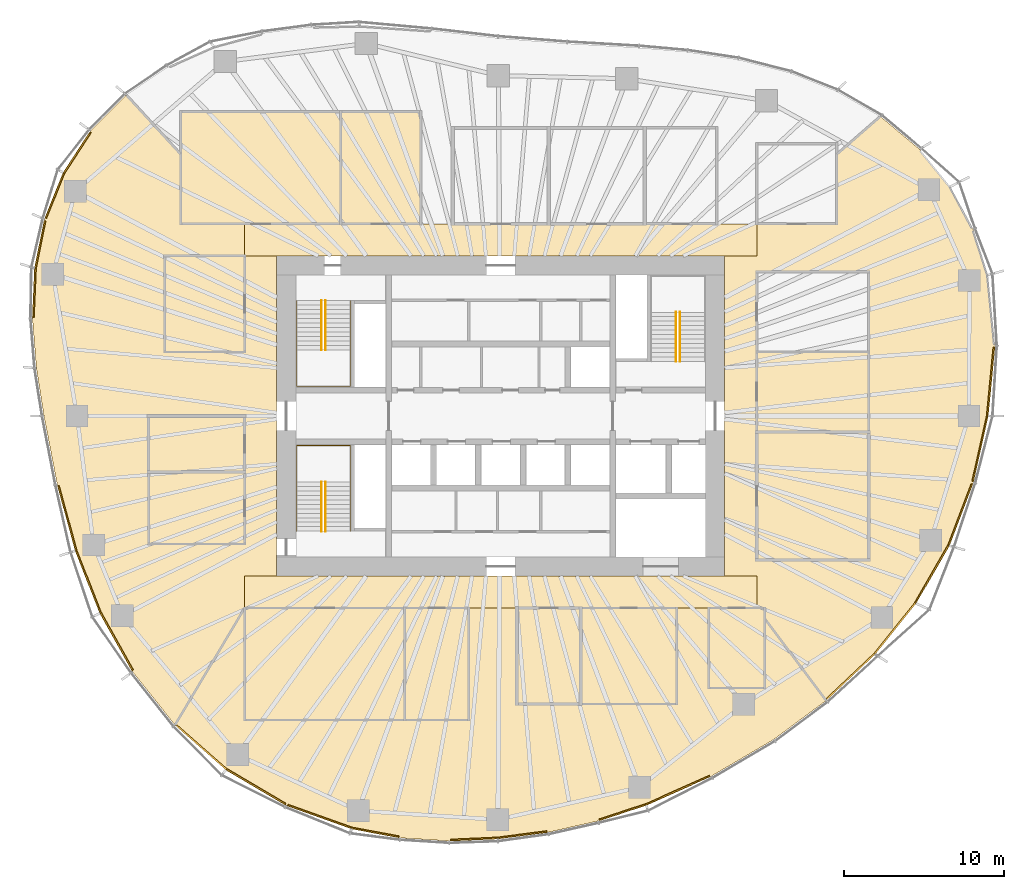
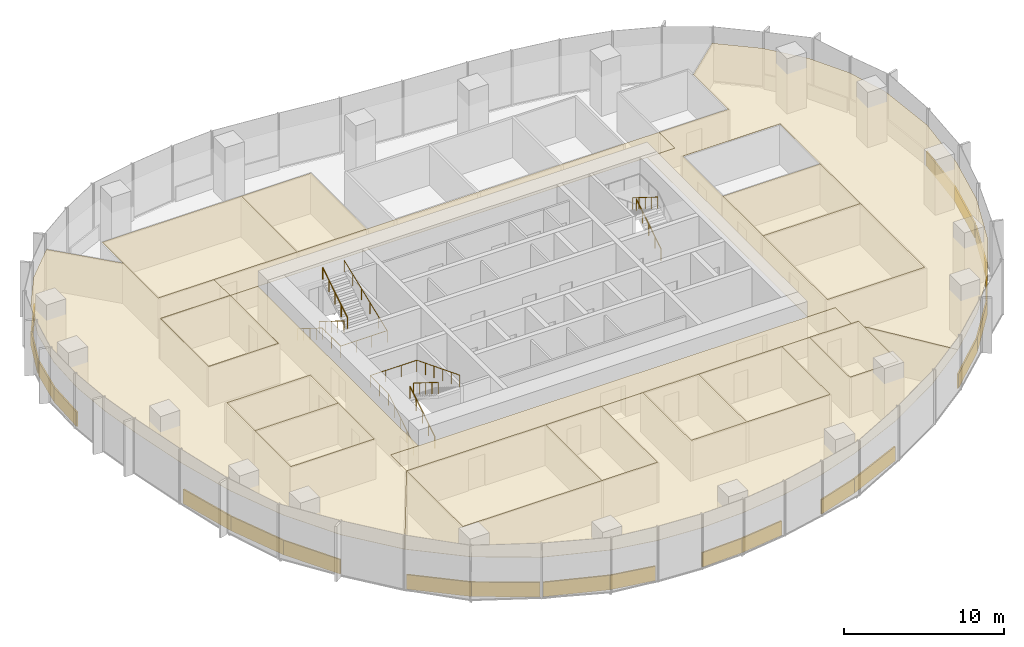
# One storey, part 17 of 18: 38 coverings, 8 railings.
"""IFC4 building model written with IfcOpenShell, lengths in metres."""

from ifc_helpers import new_model, si_unit, direction, frame, origin, origin_2d, place, context, subcontext, project, spatial, polyline, rectangle, circle, outline, extrude, material, layer, layer_set, type_object, element, save


model = new_model("IFC4")

# Units and contexts
model_context = context("Model", 3, precision=1e-05, world=origin(), true_north=direction((0.0, 1.0)))
body_context = subcontext(model_context, "Body", "Model", "MODEL_VIEW")
ifc_project = project(units=[si_unit("LENGTHUNIT", "METRE"), si_unit("AREAUNIT", "SQUARE_METRE"), si_unit("VOLUMEUNIT", "CUBIC_METRE"), si_unit("PLANEANGLEUNIT", "RADIAN"), si_unit("MASSUNIT", "GRAM", prefix="KILO")], contexts=[model_context])

# Site, building, storey
site_placement = place(None, origin())
site = spatial("IfcSite", under=ifc_project, at=site_placement, CompositionType="ELEMENT")
building_placement = place(site_placement, origin())
building = spatial("IfcBuilding", under=site, at=building_placement, Name="Ghaith Harvest Tower", CompositionType="ELEMENT")
storey_placement = place(building_placement, frame((0.0, 0.0, 155.39990234375)))
storey = spatial("IfcBuildingStorey", under=building, at=storey_placement, Name="L33", CompositionType="ELEMENT", Elevation=155.39990234375)

# Coverings
ifc_material_1 = material(Name="Mineral fibre ceiling tile", Category="gypsum")
ifc_layer_1 = layer(ifc_material_1, 0.02001953125)
ifc_layer_set_1 = layer_set([ifc_layer_1], Name="CEILING C1")
covering_type_1 = type_object("IfcCoveringType", Name="CEILING C1", PredefinedType="CEILING", material=ifc_layer_set_1)
covering_1_placement = place(storey_placement, frame((0.0, 0.0, 3.0)))
element("IfcCovering", 1, at=covering_1_placement, inside=storey, type_object=covering_type_1, Name="Ceiling L33-01", PredefinedType="CEILING", context=body_context, shape_type="SweptSolid", body=[
    extrude(outline(polyline([(-16.0, -19.0), (-6.0, -19.0), (-6.0, -12.0), (-16.0, -12.0), (-16.0, -19.0)])), origin(), (0.0, 0.0, 1.0), 0.02001953125),
])
covering_2_placement = place(storey_placement, frame((0.0, 0.0, 3.0)))
element("IfcCovering", 2, at=covering_2_placement, inside=storey, type_object=covering_type_1, Name="Ceiling L33-02", PredefinedType="CEILING", context=body_context, shape_type="SweptSolid", body=[
    extrude(outline(polyline([(-6.0, -19.0), (-2.0, -19.0), (-2.0, -12.0), (-6.0, -12.0), (-6.0, -19.0)])), origin(), (0.0, 0.0, 1.0), 0.02001953125),
])
covering_3_placement = place(storey_placement, frame((0.0, 0.0, 3.0)))
element("IfcCovering", 3, at=covering_3_placement, inside=storey, type_object=covering_type_1, Name="Ceiling L33-03", PredefinedType="CEILING", context=body_context, shape_type="SweptSolid", body=[
    extrude(outline(polyline([(1.0, -18.0), (5.0, -18.0), (5.0, -12.0), (1.0, -12.0), (1.0, -18.0)])), origin(), (0.0, 0.0, 1.0), 0.02001953125),
])
covering_4_placement = place(storey_placement, frame((0.0, 0.0, 3.0)))
element("IfcCovering", 4, at=covering_4_placement, inside=storey, type_object=covering_type_1, Name="Ceiling L33-04", PredefinedType="CEILING", context=body_context, shape_type="SweptSolid", body=[
    extrude(outline(polyline([(5.0, -18.0), (11.0, -18.0), (11.0, -12.0), (5.0, -12.0), (5.0, -18.0)])), origin(), (0.0, 0.0, 1.0), 0.02001953125),
])
covering_5_placement = place(storey_placement, frame((0.0, 0.0, 3.0)))
element("IfcCovering", 5, at=covering_5_placement, inside=storey, type_object=covering_type_1, Name="Ceiling L33-05", PredefinedType="CEILING", context=body_context, shape_type="SweptSolid", body=[
    extrude(outline(polyline([(-20.0, 12.0), (-10.0, 12.0), (-10.0, 19.0), (-20.0, 19.0), (-20.0, 12.0)])), origin(), (0.0, 0.0, 1.0), 0.02001953125),
])
covering_6_placement = place(storey_placement, frame((0.0, 0.0, 3.0)))
element("IfcCovering", 6, at=covering_6_placement, inside=storey, type_object=covering_type_1, Name="Ceiling L33-06", PredefinedType="CEILING", context=body_context, shape_type="SweptSolid", body=[
    extrude(outline(polyline([(-10.0, 12.0), (-5.0, 12.0), (-5.0, 19.0), (-10.0, 19.0), (-10.0, 12.0)])), origin(), (0.0, 0.0, 1.0), 0.02001953125),
])
covering_7_placement = place(storey_placement, frame((0.0, 0.0, 3.0)))
element("IfcCovering", 7, at=covering_7_placement, inside=storey, type_object=covering_type_1, Name="Ceiling L33-10", PredefinedType="CEILING", context=body_context, shape_type="SweptSolid", body=[
    extrude(outline(polyline([(16.0, -9.0), (23.0, -9.0), (23.0, -1.0), (16.0, -1.0), (16.0, -9.0)])), origin(), (0.0, 0.0, 1.0), 0.02001953125),
])
covering_8_placement = place(storey_placement, frame((0.0, 0.0, 3.0)))
element("IfcCovering", 8, at=covering_8_placement, inside=storey, type_object=covering_type_1, Name="Ceiling L33-11", PredefinedType="CEILING", context=body_context, shape_type="SweptSolid", body=[
    extrude(outline(polyline([(16.0, -1.0), (23.0, -1.0), (23.0, 4.0), (16.0, 4.0), (16.0, -1.0)])), origin(), (0.0, 0.0, 1.0), 0.02001953125),
])
covering_9_placement = place(storey_placement, frame((0.0, 0.0, 3.0)))
element("IfcCovering", 9, at=covering_9_placement, inside=storey, type_object=covering_type_1, Name="Ceiling L33-13", PredefinedType="CEILING", context=body_context, shape_type="SweptSolid", body=[
    extrude(outline(polyline([(-22.0, -8.0), (-16.0, -8.0), (-16.0, -3.5), (-22.0, -3.5), (-22.0, -8.0)])), origin(), (0.0, 0.0, 1.0), 0.02001953125),
])
covering_10_placement = place(storey_placement, frame((0.0, 0.0, 3.0)))
element("IfcCovering", 10, at=covering_10_placement, inside=storey, type_object=covering_type_1, Name="Ceiling L33-14", PredefinedType="CEILING", context=body_context, shape_type="SweptSolid", body=[
    extrude(outline(polyline([(-22.0, -3.5), (-16.0, -3.5), (-16.0, 0.0), (-22.0, 0.0), (-22.0, -3.5)])), origin(), (0.0, 0.0, 1.0), 0.02001953125),
])
covering_11_placement = place(storey_placement, frame((0.0, 0.0, 3.0)))
element("IfcCovering", 11, at=covering_11_placement, inside=storey, type_object=covering_type_1, Name="Ceiling L33-16", PredefinedType="CEILING", context=body_context, shape_type="SweptSolid", body=[
    extrude(outline(polyline([(13.0, -17.0), (16.5, -17.0), (16.5, -12.0), (13.0, -12.0), (13.0, -17.0)])), origin(), (0.0, 0.0, 1.0), 0.02001953125),
])
covering_12_placement = place(storey_placement, frame((0.0, 0.0, 3.0)))
element("IfcCovering", 12, at=covering_12_placement, inside=storey, type_object=covering_type_1, Name="Ceiling L33-17", PredefinedType="CEILING", context=body_context, shape_type="SweptSolid", body=[
    extrude(outline(polyline([(-21.0, 4.0), (-16.0, 4.0), (-16.0, 10.0), (-21.0, 10.0), (-21.0, 4.0)])), origin(), (0.0, 0.0, 1.0), 0.02001953125),
])
covering_13_placement = place(storey_placement, frame((0.0, 0.0, 3.0)))
element("IfcCovering", 13, at=covering_13_placement, inside=storey, type_object=covering_type_1, Name="Ceiling L33-C1", PredefinedType="CEILING", context=body_context, shape_type="SweptSolid", body=[
    extrude(outline(polyline([(16.0, 10.0), (-16.0, 10.0), (-16.0, 12.0), (16.0, 12.0), (16.0, 10.0)])), origin(), (0.0, 0.0, 1.0), 0.02001953125),
])
covering_14_placement = place(storey_placement, frame((0.0, 0.0, 3.0)))
element("IfcCovering", 14, at=covering_14_placement, inside=storey, type_object=covering_type_1, Name="Ceiling L33-C2", PredefinedType="CEILING", context=body_context, shape_type="SweptSolid", body=[
    extrude(outline(polyline([(-16.0, -10.0), (16.0, -10.0), (16.0, -12.0), (-16.0, -12.0), (-16.0, -10.0)])), origin(), (0.0, 0.0, 1.0), 0.02001953125),
])
covering_15_placement = place(storey_placement, frame((0.0, 0.0, 3.0)))
element("IfcCovering", 15, at=covering_15_placement, inside=storey, type_object=covering_type_1, Name="Ceiling L33-E1", PredefinedType="CEILING", context=body_context, shape_type="SweptSolid", body=[
    extrude(outline(polyline([(26.179443359375, 16.660888671875), (28.0888671875, 14.32568359375), (29.52294921875, 11.671875), (30.439208984375, 8.797607421875), (30.8798828125, 4.373046875), (30.458740234375, 0.0), (29.527099609375, -4.181396484375), (28.03125, -8.1015625), (25.94775390625, -11.714111328125), (23.400390625, -14.89208984375), (20.33935546875, -17.784912109375), (16.5, -12.66650390625), (16.5, -12.0), (16.0, -12.0), (16.0, -10.0), (14.0, -10.0), (14.0, 10.0), (16.0, 10.0), (16.0, 12.0), (21.0, 12.0), (21.0, 16.3466796875), (23.7275390625, 18.718017578125), (26.179443359375, 16.660888671875)]), holes=[polyline([(23.0, -9.0), (23.0, 9.0), (16.0, 9.0), (16.0, -9.0), (23.0, -9.0)])]), origin(), (0.0, 0.0, 1.0), 0.02001953125),
])
covering_16_placement = place(storey_placement, frame((0.0, 0.0, 3.0)))
element("IfcCovering", 16, at=covering_16_placement, inside=storey, type_object=covering_type_1, Name="Ceiling L33-S1", PredefinedType="CEILING", context=body_context, shape_type="SweptSolid", body=[
    extrude(outline(polyline([(17.054443359375, -20.22412109375), (13.163818359375, -22.510498046875), (9.09423828125, -24.326904296875), (6.09228515625, -25.308837890625), (2.99609375, -26.010009765625), (-0.180908203125, -26.423583984375), (-3.204833984375, -26.556884765625), (-6.2666015625, -26.366455078125), (-9.317138671875, -25.79638671875), (-13.4052734375, -24.33740234375), (-17.1728515625, -22.11181640625), (-20.35400390625, -19.31396484375), (-16.0, -12.0), (-16.0, -19.0), (-2.0, -19.0), (-2.0, -12.0), (1.0, -12.0), (1.0, -18.0), (11.0, -18.0), (11.0, -12.0), (13.0, -12.0), (13.0, -17.0), (16.5, -17.0), (16.5, -12.66650390625), (20.33935546875, -17.784912109375), (17.054443359375, -20.22412109375)])), origin(), (0.0, 0.0, 1.0), 0.02001953125),
])
covering_17_placement = place(storey_placement, frame((0.0, 0.0, 3.0)))
element("IfcCovering", 17, at=covering_17_placement, inside=storey, type_object=covering_type_1, Name="Ceiling L33-W1", PredefinedType="CEILING", context=body_context, shape_type="SweptSolid", body=[
    extrude(outline(polyline([(-27.70947265625, -4.285888671875), (-28.541259765625, 0.0), (-29.01171875, 2.978271484375), (-29.260498046875, 6.07177734375), (-29.12646484375, 9.230712890625), (-28.506591796875, 12.29638671875), (-27.33837890625, 15.204833984375), (-25.61962890625, 17.826416015625), (-23.398193359375, 20.06103515625), (-20.0, 16.3583984375), (-20.0, 12.0), (-16.0, 12.0), (-16.0, 10.010009765625), (-21.010009765625, 10.010009765625), (-21.010009765625, 3.989990234375), (-15.989990234375, 3.989990234375), (-15.989990234375, 10.0), (-14.0, 10.0), (-14.0, -10.0), (-16.0, -10.0), (-16.0, -12.0), (-20.35400390625, -19.31396484375), (-22.99169921875, -15.997802734375), (-25.046875, -12.32861328125), (-26.580078125, -8.423583984375), (-27.70947265625, -4.285888671875)]), holes=[polyline([(-16.0, -8.0), (-16.0, 0.0), (-22.0, 0.0), (-22.0, -8.0), (-16.0, -8.0)])]), origin(), (0.0, 0.0, 1.0), 0.02001953125),
])

# Railings
ifc_material_2 = material(Name="Steel, black powder-coated", Category="steel")
railing_type = type_object("IfcRailingType", Name="HANDRAIL HR1", PredefinedType="HANDRAIL", material=ifc_material_2)
railing_1_placement = place(storey_placement, frame((-11.199951171875, 7.199951171875, 0.175048828125)))
element("IfcRailing", 18, at=railing_1_placement, inside=storey, type_object=railing_type, Name="Handrail HR1 stair ST1 L33 flight 1 inner", PredefinedType="HANDRAIL", context=body_context, shape_type="SweptSolid", body=[
    extrude(circle(Radius=0.02392578125, at=origin_2d()), frame((0.0, 0.0, 0.8759765625), z_axis=(0.0, -0.847979421464, 0.530029150871), x_axis=(1.0, 0.0, 0.0)), (0.0, 0.0, 1.0), 3.632080078125),
    extrude(circle(Radius=0.02099609375, at=origin_2d()), origin(), (0.0, 0.0, 1.0), 0.851806640625),
    extrude(circle(Radius=0.02099609375, at=origin_2d()), frame((0.0, -0.77001953125, 0.481201171875)), (0.0, 0.0, 1.0), 0.851806640625),
    extrude(circle(Radius=0.02099609375, at=origin_2d()), frame((0.0, -1.5400390625, 0.96240234375)), (0.0, 0.0, 1.0), 0.851806640625),
    extrude(circle(Radius=0.02099609375, at=origin_2d()), frame((0.0, -2.309814453125, 1.44384765625)), (0.0, 0.0, 1.0), 0.851806640625),
    extrude(circle(Radius=0.02099609375, at=origin_2d()), frame((0.0, -3.079833984375, 1.925048828125)), (0.0, 0.0, 1.0), 0.851806640625),
])
railing_2_placement = place(storey_placement, frame((-10.949951171875, 4.1201171875, 2.275146484375)))
element("IfcRailing", 19, at=railing_2_placement, inside=storey, type_object=railing_type, Name="Handrail HR1 stair ST1 L33 flight 2 inner", PredefinedType="HANDRAIL", context=body_context, shape_type="SweptSolid", body=[
    extrude(circle(Radius=0.02392578125, at=origin_2d()), frame((0.0, 0.0, 0.8759765625), z_axis=(0.0, 0.847979421464, 0.530029150871), x_axis=(-1.0, 0.0, 0.0)), (0.0, 0.0, 1.0), 3.632080078125),
    extrude(circle(Radius=0.02099609375, at=origin_2d()), origin(), (0.0, 0.0, 1.0), 0.851806640625),
    extrude(circle(Radius=0.02099609375, at=origin_2d()), frame((0.0, 0.77001953125, 0.481201171875)), (0.0, 0.0, 1.0), 0.851806640625),
    extrude(circle(Radius=0.02099609375, at=origin_2d()), frame((0.0, 1.5400390625, 0.96240234375)), (0.0, 0.0, 1.0), 0.851806640625),
    extrude(circle(Radius=0.02099609375, at=origin_2d()), frame((0.0, 2.309814453125, 1.44384765625)), (0.0, 0.0, 1.0), 0.851806640625),
    extrude(circle(Radius=0.02099609375, at=origin_2d()), frame((0.0, 3.079833984375, 1.925048828125)), (0.0, 0.0, 1.0), 0.851806640625),
])
railing_3_placement = place(storey_placement, frame((-12.75, 7.199951171875, 0.175048828125)))
element("IfcRailing", 20, at=railing_3_placement, inside=storey, type_object=railing_type, Name="Handrail HR1 stair ST1 L33 wall side", PredefinedType="HANDRAIL", context=body_context, shape_type="SweptSolid", body=[
    extrude(circle(Radius=0.02392578125, at=origin_2d()), frame((0.0, 0.0, 0.8759765625), z_axis=(0.0, -0.847979421464, 0.530029150871), x_axis=(1.0, 0.0, 0.0)), (0.0, 0.0, 1.0), 3.632080078125),
    extrude(circle(Radius=0.02392578125, at=origin_2d()), frame((0.0, -3.079833984375, 2.80078125), z_axis=(0.0, -1.0, 0.0), x_axis=(1.0, 0.0, 0.0)), (0.0, 0.0, 1.0), 2.27001953125),
    extrude(circle(Radius=0.02392578125, at=origin_2d()), frame((0.0, -5.349853515625, 2.80078125), z_axis=(1.0, 0.0, 0.0), x_axis=(0.0, 1.0, 0.0)), (0.0, 0.0, 1.0), 3.35009765625),
    extrude(circle(Radius=0.02392578125, at=origin_2d()), frame((3.35009765625, -5.349853515625, 2.80078125), z_axis=(0.0, 0.930848013298, 0.36540659017), x_axis=(-1.0, 0.0, 0.0)), (0.0, 0.0, 1.0), 5.747314453125),
    extrude(circle(Radius=0.02099609375, at=origin_2d()), origin(), (0.0, 0.0, 1.0), 0.851806640625),
    extrude(circle(Radius=0.02099609375, at=origin_2d()), frame((0.0, -0.77001953125, 0.481201171875)), (0.0, 0.0, 1.0), 0.851806640625),
    extrude(circle(Radius=0.02099609375, at=origin_2d()), frame((0.0, -1.5400390625, 0.96240234375)), (0.0, 0.0, 1.0), 0.851806640625),
    extrude(circle(Radius=0.02099609375, at=origin_2d()), frame((0.0, -2.309814453125, 1.44384765625)), (0.0, 0.0, 1.0), 0.851806640625),
    extrude(circle(Radius=0.02099609375, at=origin_2d()), frame((0.0, -3.079833984375, 1.925048828125)), (0.0, 0.0, 1.0), 0.851806640625),
    extrude(circle(Radius=0.02099609375, at=origin_2d()), frame((0.0, -4.21484375, 1.925048828125)), (0.0, 0.0, 1.0), 0.851806640625),
    extrude(circle(Radius=0.02099609375, at=origin_2d()), frame((0.0, -5.349853515625, 1.925048828125)), (0.0, 0.0, 1.0), 0.851806640625),
    extrude(circle(Radius=0.02099609375, at=origin_2d()), frame((1.11669921875, -5.349853515625, 1.925048828125)), (0.0, 0.0, 1.0), 0.851806640625),
    extrude(circle(Radius=0.02099609375, at=origin_2d()), frame((2.2333984375, -5.349853515625, 1.925048828125)), (0.0, 0.0, 1.0), 0.851806640625),
    extrude(circle(Radius=0.02099609375, at=origin_2d()), frame((3.35009765625, -5.349853515625, 1.925048828125)), (0.0, 0.0, 1.0), 0.851806640625),
    extrude(circle(Radius=0.02099609375, at=origin_2d()), frame((3.35009765625, -4.27978515625, 2.344970703125)), (0.0, 0.0, 1.0), 0.851806640625),
    extrude(circle(Radius=0.02099609375, at=origin_2d()), frame((3.35009765625, -3.2099609375, 2.76513671875)), (0.0, 0.0, 1.0), 0.851806640625),
    extrude(circle(Radius=0.02099609375, at=origin_2d()), frame((3.35009765625, -2.139892578125, 3.18505859375)), (0.0, 0.0, 1.0), 0.851806640625),
    extrude(circle(Radius=0.02099609375, at=origin_2d()), frame((3.35009765625, -1.070068359375, 3.605224609375)), (0.0, 0.0, 1.0), 0.851806640625),
    extrude(circle(Radius=0.02099609375, at=origin_2d()), frame((3.35009765625, 0.0, 4.025146484375)), (0.0, 0.0, 1.0), 0.851806640625),
])
railing_4_placement = place(storey_placement, frame((-11.199951171875, -7.199951171875, 0.175048828125)))
element("IfcRailing", 21, at=railing_4_placement, inside=storey, type_object=railing_type, Name="Handrail HR1 stair ST3 L33 flight 1 inner", PredefinedType="HANDRAIL", context=body_context, shape_type="SweptSolid", body=[
    extrude(circle(Radius=0.02392578125, at=origin_2d()), frame((0.0, 0.0, 0.8759765625), z_axis=(0.0, 0.847979421464, 0.530029150871), x_axis=(-1.0, 0.0, 0.0)), (0.0, 0.0, 1.0), 3.632080078125),
    extrude(circle(Radius=0.02099609375, at=origin_2d()), origin(), (0.0, 0.0, 1.0), 0.851806640625),
    extrude(circle(Radius=0.02099609375, at=origin_2d()), frame((0.0, 0.77001953125, 0.481201171875)), (0.0, 0.0, 1.0), 0.851806640625),
    extrude(circle(Radius=0.02099609375, at=origin_2d()), frame((0.0, 1.5400390625, 0.96240234375)), (0.0, 0.0, 1.0), 0.851806640625),
    extrude(circle(Radius=0.02099609375, at=origin_2d()), frame((0.0, 2.309814453125, 1.44384765625)), (0.0, 0.0, 1.0), 0.851806640625),
    extrude(circle(Radius=0.02099609375, at=origin_2d()), frame((0.0, 3.079833984375, 1.925048828125)), (0.0, 0.0, 1.0), 0.851806640625),
])
railing_5_placement = place(storey_placement, frame((-10.949951171875, -4.1201171875, 2.275146484375)))
element("IfcRailing", 22, at=railing_5_placement, inside=storey, type_object=railing_type, Name="Handrail HR1 stair ST3 L33 flight 2 inner", PredefinedType="HANDRAIL", context=body_context, shape_type="SweptSolid", body=[
    extrude(circle(Radius=0.02392578125, at=origin_2d()), frame((0.0, 0.0, 0.8759765625), z_axis=(0.0, -0.847979421464, 0.530029150871), x_axis=(1.0, 0.0, 0.0)), (0.0, 0.0, 1.0), 3.632080078125),
    extrude(circle(Radius=0.02099609375, at=origin_2d()), origin(), (0.0, 0.0, 1.0), 0.851806640625),
    extrude(circle(Radius=0.02099609375, at=origin_2d()), frame((0.0, -0.77001953125, 0.481201171875)), (0.0, 0.0, 1.0), 0.851806640625),
    extrude(circle(Radius=0.02099609375, at=origin_2d()), frame((0.0, -1.5400390625, 0.96240234375)), (0.0, 0.0, 1.0), 0.851806640625),
    extrude(circle(Radius=0.02099609375, at=origin_2d()), frame((0.0, -2.309814453125, 1.44384765625)), (0.0, 0.0, 1.0), 0.851806640625),
    extrude(circle(Radius=0.02099609375, at=origin_2d()), frame((0.0, -3.079833984375, 1.925048828125)), (0.0, 0.0, 1.0), 0.851806640625),
])
railing_6_placement = place(storey_placement, frame((-12.75, -7.199951171875, 0.175048828125)))
element("IfcRailing", 23, at=railing_6_placement, inside=storey, type_object=railing_type, Name="Handrail HR1 stair ST3 L33 wall side", PredefinedType="HANDRAIL", context=body_context, shape_type="SweptSolid", body=[
    extrude(circle(Radius=0.02392578125, at=origin_2d()), frame((0.0, 0.0, 0.8759765625), z_axis=(0.0, 0.847979421464, 0.530029150871), x_axis=(-1.0, 0.0, 0.0)), (0.0, 0.0, 1.0), 3.632080078125),
    extrude(circle(Radius=0.02392578125, at=origin_2d()), frame((0.0, 3.079833984375, 2.80078125), z_axis=(0.0, 1.0, 0.0), x_axis=(-1.0, 0.0, 0.0)), (0.0, 0.0, 1.0), 2.27001953125),
    extrude(circle(Radius=0.02392578125, at=origin_2d()), frame((0.0, 5.349853515625, 2.80078125), z_axis=(1.0, 0.0, 0.0), x_axis=(0.0, 1.0, 0.0)), (0.0, 0.0, 1.0), 3.35009765625),
    extrude(circle(Radius=0.02392578125, at=origin_2d()), frame((3.35009765625, 5.349853515625, 2.80078125), z_axis=(0.0, -0.930848013298, 0.36540659017), x_axis=(1.0, 0.0, 0.0)), (0.0, 0.0, 1.0), 5.747314453125),
    extrude(circle(Radius=0.02099609375, at=origin_2d()), origin(), (0.0, 0.0, 1.0), 0.851806640625),
    extrude(circle(Radius=0.02099609375, at=origin_2d()), frame((0.0, 0.77001953125, 0.481201171875)), (0.0, 0.0, 1.0), 0.851806640625),
    extrude(circle(Radius=0.02099609375, at=origin_2d()), frame((0.0, 1.5400390625, 0.96240234375)), (0.0, 0.0, 1.0), 0.851806640625),
    extrude(circle(Radius=0.02099609375, at=origin_2d()), frame((0.0, 2.309814453125, 1.44384765625)), (0.0, 0.0, 1.0), 0.851806640625),
    extrude(circle(Radius=0.02099609375, at=origin_2d()), frame((0.0, 3.079833984375, 1.925048828125)), (0.0, 0.0, 1.0), 0.851806640625),
    extrude(circle(Radius=0.02099609375, at=origin_2d()), frame((0.0, 4.21484375, 1.925048828125)), (0.0, 0.0, 1.0), 0.851806640625),
    extrude(circle(Radius=0.02099609375, at=origin_2d()), frame((0.0, 5.349853515625, 1.925048828125)), (0.0, 0.0, 1.0), 0.851806640625),
    extrude(circle(Radius=0.02099609375, at=origin_2d()), frame((1.11669921875, 5.349853515625, 1.925048828125)), (0.0, 0.0, 1.0), 0.851806640625),
    extrude(circle(Radius=0.02099609375, at=origin_2d()), frame((2.2333984375, 5.349853515625, 1.925048828125)), (0.0, 0.0, 1.0), 0.851806640625),
    extrude(circle(Radius=0.02099609375, at=origin_2d()), frame((3.35009765625, 5.349853515625, 1.925048828125)), (0.0, 0.0, 1.0), 0.851806640625),
    extrude(circle(Radius=0.02099609375, at=origin_2d()), frame((3.35009765625, 4.27978515625, 2.344970703125)), (0.0, 0.0, 1.0), 0.851806640625),
    extrude(circle(Radius=0.02099609375, at=origin_2d()), frame((3.35009765625, 3.2099609375, 2.76513671875)), (0.0, 0.0, 1.0), 0.851806640625),
    extrude(circle(Radius=0.02099609375, at=origin_2d()), frame((3.35009765625, 2.139892578125, 3.18505859375)), (0.0, 0.0, 1.0), 0.851806640625),
    extrude(circle(Radius=0.02099609375, at=origin_2d()), frame((3.35009765625, 1.070068359375, 3.605224609375)), (0.0, 0.0, 1.0), 0.851806640625),
    extrude(circle(Radius=0.02099609375, at=origin_2d()), frame((3.35009765625, 0.0, 4.025146484375)), (0.0, 0.0, 1.0), 0.851806640625),
])
railing_7_placement = place(storey_placement, frame((11.199951171875, 3.39990234375, 0.175048828125)))
element("IfcRailing", 24, at=railing_7_placement, inside=storey, type_object=railing_type, Name="Handrail HR1 stair ST2 L33 flight 1 inner", PredefinedType="HANDRAIL", context=body_context, shape_type="SweptSolid", body=[
    extrude(circle(Radius=0.02392578125, at=origin_2d()), frame((0.0, 0.0, 0.8759765625), z_axis=(0.0, 0.847998304005, 0.529998940003), x_axis=(-1.0, 0.0, 0.0)), (0.0, 0.0, 1.0), 3.632080078125),
    extrude(circle(Radius=0.02099609375, at=origin_2d()), origin(), (0.0, 0.0, 1.0), 0.851806640625),
    extrude(circle(Radius=0.02099609375, at=origin_2d()), frame((0.0, 0.77001953125, 0.481201171875)), (0.0, 0.0, 1.0), 0.851806640625),
    extrude(circle(Radius=0.02099609375, at=origin_2d()), frame((0.0, 1.5400390625, 0.96240234375)), (0.0, 0.0, 1.0), 0.851806640625),
    extrude(circle(Radius=0.02099609375, at=origin_2d()), frame((0.0, 2.31005859375, 1.44384765625)), (0.0, 0.0, 1.0), 0.851806640625),
    extrude(circle(Radius=0.02099609375, at=origin_2d()), frame((0.0, 3.080078125, 1.925048828125)), (0.0, 0.0, 1.0), 0.851806640625),
])
railing_8_placement = place(storey_placement, frame((10.949951171875, 6.47998046875, 2.275146484375)))
element("IfcRailing", 25, at=railing_8_placement, inside=storey, type_object=railing_type, Name="Handrail HR1 stair ST2 L33 flight 2 inner", PredefinedType="HANDRAIL", context=body_context, shape_type="SweptSolid", body=[
    extrude(circle(Radius=0.02392578125, at=origin_2d()), frame((0.0, 0.0, 0.8759765625), z_axis=(0.0, -0.847998304005, 0.529998940003), x_axis=(1.0, 0.0, 0.0)), (0.0, 0.0, 1.0), 3.632080078125),
    extrude(circle(Radius=0.02099609375, at=origin_2d()), origin(), (0.0, 0.0, 1.0), 0.851806640625),
    extrude(circle(Radius=0.02099609375, at=origin_2d()), frame((0.0, -0.77001953125, 0.481201171875)), (0.0, 0.0, 1.0), 0.851806640625),
    extrude(circle(Radius=0.02099609375, at=origin_2d()), frame((0.0, -1.5400390625, 0.96240234375)), (0.0, 0.0, 1.0), 0.851806640625),
    extrude(circle(Radius=0.02099609375, at=origin_2d()), frame((0.0, -2.31005859375, 1.44384765625)), (0.0, 0.0, 1.0), 0.851806640625),
    extrude(circle(Radius=0.02099609375, at=origin_2d()), frame((0.0, -3.080078125, 1.925048828125)), (0.0, 0.0, 1.0), 0.851806640625),
])

# Coverings
ifc_material_3 = material(Name="Insulated aluminium spandrel panel on steel framing", Category="steel")
ifc_layer_2 = layer(ifc_material_3, 0.10009765625)
ifc_layer_set_2 = layer_set([ifc_layer_2], Name="SLAB EDGE UPSTAND 1100x100")
covering_type_2 = type_object("IfcCoveringType", Name="SLAB EDGE UPSTAND 1100x100", PredefinedType="CLADDING", material=ifc_layer_set_2)
covering_18_placement = place(storey_placement, frame((30.61474609375, 2.1416015625, 0.0), z_axis=(0.0, 0.0, 1.0), x_axis=(0.095861332319, 0.99539469808, 0.0)))
element("IfcCovering", 26, at=covering_18_placement, inside=storey, type_object=covering_type_2, Name="Slab edge upstand 1 bay 01 L33", PredefinedType="CLADDING", context=body_context, shape_type="SweptSolid", body=[
    extrude(rectangle(XDim=4.293212890625, YDim=0.10009765625, at=origin_2d()), origin(), (0.0, 0.0, 1.0), 1.10009765625),
])
covering_19_placement = place(storey_placement, frame((-26.464599609375, 16.4462890625, 0.0), z_axis=(0.0, 0.0, 1.0), x_axis=(-0.548312211554, -0.836273710373, 0.0)))
element("IfcCovering", 27, at=covering_19_placement, inside=storey, type_object=covering_type_2, Name="Slab edge upstand 1 bay 09 L33", PredefinedType="CLADDING", context=body_context, shape_type="SweptSolid", body=[
    extrude(rectangle(XDim=3.03466796875, YDim=0.10009765625, at=origin_2d()), origin(), (0.0, 0.0, 1.0), 1.10009765625),
])
covering_20_placement = place(storey_placement, frame((-27.857421875, 13.7783203125, 0.0), z_axis=(0.0, 0.0, 1.0), x_axis=(-0.372732078847, -0.927939005215, 0.0)))
element("IfcCovering", 28, at=covering_20_placement, inside=storey, type_object=covering_type_2, Name="Slab edge upstand 2 bay 09 L33", PredefinedType="CLADDING", context=body_context, shape_type="SweptSolid", body=[
    extrude(rectangle(XDim=3.034423828125, YDim=0.10009765625, at=origin_2d()), origin(), (0.0, 0.0, 1.0), 1.10009765625),
])
covering_21_placement = place(storey_placement, frame((-28.777587890625, 10.70458984375, 0.0), z_axis=(0.0, 0.0, 1.0), x_axis=(-0.198182542943, -0.980165128778, 0.0)))
element("IfcCovering", 29, at=covering_21_placement, inside=storey, type_object=covering_type_2, Name="Slab edge upstand 3 bay 09 L33", PredefinedType="CLADDING", context=body_context, shape_type="SweptSolid", body=[
    extrude(rectangle(XDim=3.027587890625, YDim=0.10009765625, at=origin_2d()), origin(), (0.0, 0.0, 1.0), 1.10009765625),
])
covering_22_placement = place(storey_placement, frame((-29.141357421875, 7.69921875, 0.0), z_axis=(0.0, 0.0, 1.0), x_axis=(-0.042372799788, -0.9991018696, 0.0)))
element("IfcCovering", 30, at=covering_22_placement, inside=storey, type_object=covering_type_2, Name="Slab edge upstand 1 bay 10 L33", PredefinedType="CLADDING", context=body_context, shape_type="SweptSolid", body=[
    extrude(rectangle(XDim=3.061767578125, YDim=0.10009765625, at=origin_2d()), origin(), (0.0, 0.0, 1.0), 1.10009765625),
])
covering_23_placement = place(storey_placement, frame((-27.08349609375, -6.389892578125, 0.0), z_axis=(0.0, 0.0, 1.0), x_axis=(0.263287721652, -0.964717355305, 0.0)))
element("IfcCovering", 31, at=covering_23_placement, inside=storey, type_object=covering_type_2, Name="Slab edge upstand 2 bay 11 L33", PredefinedType="CLADDING", context=body_context, shape_type="SweptSolid", body=[
    extrude(rectangle(XDim=4.189208984375, YDim=0.10009765625, at=origin_2d()), origin(), (0.0, 0.0, 1.0), 1.10009765625),
])
covering_24_placement = place(storey_placement, frame((-25.76708984375, -10.35791015625, 0.0), z_axis=(0.0, 0.0, 1.0), x_axis=(0.365514970008, -0.930805461254, 0.0)))
element("IfcCovering", 32, at=covering_24_placement, inside=storey, type_object=covering_type_2, Name="Slab edge upstand 1 bay 12 L33", PredefinedType="CLADDING", context=body_context, shape_type="SweptSolid", body=[
    extrude(rectangle(XDim=4.195068359375, YDim=0.10009765625, at=origin_2d()), origin(), (0.0, 0.0, 1.0), 1.10009765625),
])
covering_25_placement = place(storey_placement, frame((-24.0, -14.09521484375, 0.0), z_axis=(0.0, 0.0, 1.0), x_axis=(0.488683758288, -0.872460993045, 0.0)))
element("IfcCovering", 33, at=covering_25_placement, inside=storey, type_object=covering_type_2, Name="Slab edge upstand 2 bay 12 L33", PredefinedType="CLADDING", context=body_context, shape_type="SweptSolid", body=[
    extrude(rectangle(XDim=4.10546875, YDim=0.10009765625, at=origin_2d()), origin(), (0.0, 0.0, 1.0), 1.10009765625),
])
covering_26_placement = place(storey_placement, frame((-18.69287109375, -20.70849609375, 0.0), z_axis=(0.0, 0.0, 1.0), x_axis=(0.75089221411, -0.660424774511, 0.0)))
element("IfcCovering", 34, at=covering_26_placement, inside=storey, type_object=covering_type_2, Name="Slab edge upstand 2 bay 13 L33", PredefinedType="CLADDING", context=body_context, shape_type="SweptSolid", body=[
    extrude(rectangle(XDim=4.136474609375, YDim=0.10009765625, at=origin_2d()), origin(), (0.0, 0.0, 1.0), 1.10009765625),
])
covering_27_placement = place(storey_placement, frame((-15.306640625, -23.15625, 0.0), z_axis=(0.0, 0.0, 1.0), x_axis=(0.861020519069, -0.508570217121, 0.0)))
element("IfcCovering", 35, at=covering_27_placement, inside=storey, type_object=covering_type_2, Name="Slab edge upstand 1 bay 14 L33", PredefinedType="CLADDING", context=body_context, shape_type="SweptSolid", body=[
    extrude(rectangle(XDim=4.27587890625, YDim=0.10009765625, at=origin_2d()), origin(), (0.0, 0.0, 1.0), 1.10009765625),
])
covering_28_placement = place(storey_placement, frame((-11.29736328125, -25.03662109375, 0.0), z_axis=(0.0, 0.0, 1.0), x_axis=(0.941807015649, -0.336154049915, 0.0)))
element("IfcCovering", 36, at=covering_28_placement, inside=storey, type_object=covering_type_2, Name="Slab edge upstand 2 bay 14 L33", PredefinedType="CLADDING", context=body_context, shape_type="SweptSolid", body=[
    extrude(rectangle(XDim=4.24072265625, YDim=0.10009765625, at=origin_2d()), origin(), (0.0, 0.0, 1.0), 1.10009765625),
])
covering_29_placement = place(storey_placement, frame((-7.831787109375, -26.023193359375, 0.0), z_axis=(0.0, 0.0, 1.0), x_axis=(0.982990071164, -0.183658705191, 0.0)))
element("IfcCovering", 37, at=covering_29_placement, inside=storey, type_object=covering_type_2, Name="Slab edge upstand 1 bay 15 L33", PredefinedType="CLADDING", context=body_context, shape_type="SweptSolid", body=[
    extrude(rectangle(XDim=3.003173828125, YDim=0.10009765625, at=origin_2d()), origin(), (0.0, 0.0, 1.0), 1.10009765625),
])
covering_30_placement = place(storey_placement, frame((-1.64501953125, -26.43798828125, 0.0), z_axis=(0.0, 0.0, 1.0), x_axis=(0.999029547734, 0.044045008275, 0.0)))
element("IfcCovering", 38, at=covering_30_placement, inside=storey, type_object=covering_type_2, Name="Slab edge upstand 3 bay 15 L33", PredefinedType="CLADDING", context=body_context, shape_type="SweptSolid", body=[
    extrude(rectangle(XDim=2.927001953125, YDim=0.10009765625, at=origin_2d()), origin(), (0.0, 0.0, 1.0), 1.10009765625),
])
covering_31_placement = place(storey_placement, frame((1.3515625, -26.173583984375, 0.0), z_axis=(0.0, 0.0, 1.0), x_axis=(0.991633707242, 0.129083657611, 0.0)))
element("IfcCovering", 39, at=covering_31_placement, inside=storey, type_object=covering_type_2, Name="Slab edge upstand 1 bay 16 L33", PredefinedType="CLADDING", context=body_context, shape_type="SweptSolid", body=[
    extrude(rectangle(XDim=3.103759765625, YDim=0.10009765625, at=origin_2d()), origin(), (0.0, 0.0, 1.0), 1.10009765625),
])
covering_32_placement = place(storey_placement, frame((7.625244140625, -24.754638671875, 0.0), z_axis=(0.0, 0.0, 1.0), x_axis=(0.950441392134, 0.310903779518, 0.0)))
element("IfcCovering", 40, at=covering_32_placement, inside=storey, type_object=covering_type_2, Name="Slab edge upstand 3 bay 16 L33", PredefinedType="CLADDING", context=body_context, shape_type="SweptSolid", body=[
    extrude(rectangle(XDim=3.05859375, YDim=0.10009765625, at=origin_2d()), origin(), (0.0, 0.0, 1.0), 1.10009765625),
])
covering_33_placement = place(storey_placement, frame((11.06298828125, -23.393310546875, 0.0), z_axis=(0.0, 0.0, 1.0), x_axis=(0.913170343632, 0.407578119519, 0.0)))
element("IfcCovering", 41, at=covering_33_placement, inside=storey, type_object=covering_type_2, Name="Slab edge upstand 1 bay 17 L33", PredefinedType="CLADDING", context=body_context, shape_type="SweptSolid", body=[
    extrude(rectangle(XDim=4.356689453125, YDim=0.10009765625, at=origin_2d()), origin(), (0.0, 0.0, 1.0), 1.10009765625),
])
covering_34_placement = place(storey_placement, frame((21.871826171875, -16.267822265625, 0.0), z_axis=(0.0, 0.0, 1.0), x_axis=(0.72680962062, 0.686838973395, 0.0)))
element("IfcCovering", 42, at=covering_34_placement, inside=storey, type_object=covering_type_2, Name="Slab edge upstand 2 bay 18 L33", PredefinedType="CLADDING", context=body_context, shape_type="SweptSolid", body=[
    extrude(rectangle(XDim=4.111572265625, YDim=0.10009765625, at=origin_2d()), origin(), (0.0, 0.0, 1.0), 1.10009765625),
])
covering_35_placement = place(storey_placement, frame((24.635009765625, -13.27197265625, 0.0), z_axis=(0.0, 0.0, 1.0), x_axis=(0.625468377377, 0.780249517079, 0.0)))
element("IfcCovering", 43, at=covering_35_placement, inside=storey, type_object=covering_type_2, Name="Slab edge upstand 1 bay 19 L33", PredefinedType="CLADDING", context=body_context, shape_type="SweptSolid", body=[
    extrude(rectangle(XDim=4.072998046875, YDim=0.10009765625, at=origin_2d()), origin(), (0.0, 0.0, 1.0), 1.10009765625),
])
covering_36_placement = place(storey_placement, frame((26.9462890625, -9.8828125, 0.0), z_axis=(0.0, 0.0, 1.0), x_axis=(0.499596169173, 0.866258430117, 0.0)))
element("IfcCovering", 44, at=covering_36_placement, inside=storey, type_object=covering_type_2, Name="Slab edge upstand 2 bay 19 L33", PredefinedType="CLADDING", context=body_context, shape_type="SweptSolid", body=[
    extrude(rectangle(XDim=4.170166015625, YDim=0.10009765625, at=origin_2d()), origin(), (0.0, 0.0, 1.0), 1.10009765625),
])
covering_37_placement = place(storey_placement, frame((28.714599609375, -6.17041015625, 0.0), z_axis=(0.0, 0.0, 1.0), x_axis=(0.356503850378, 0.934293853488, 0.0)))
element("IfcCovering", 45, at=covering_37_placement, inside=storey, type_object=covering_type_2, Name="Slab edge upstand 1 bay 20 L33", PredefinedType="CLADDING", context=body_context, shape_type="SweptSolid", body=[
    extrude(rectangle(XDim=4.095947265625, YDim=0.10009765625, at=origin_2d()), origin(), (0.0, 0.0, 1.0), 1.10009765625),
])
covering_38_placement = place(storey_placement, frame((29.955078125, -2.031005859375, 0.0), z_axis=(0.0, 0.0, 1.0), x_axis=(0.217466241983, 0.976067842723, 0.0)))
element("IfcCovering", 46, at=covering_38_placement, inside=storey, type_object=covering_type_2, Name="Slab edge upstand 2 bay 20 L33", PredefinedType="CLADDING", context=body_context, shape_type="SweptSolid", body=[
    extrude(rectangle(XDim=4.183837890625, YDim=0.10009765625, at=origin_2d()), origin(), (0.0, 0.0, 1.0), 1.10009765625),
])

save(model, "model.ifc")
